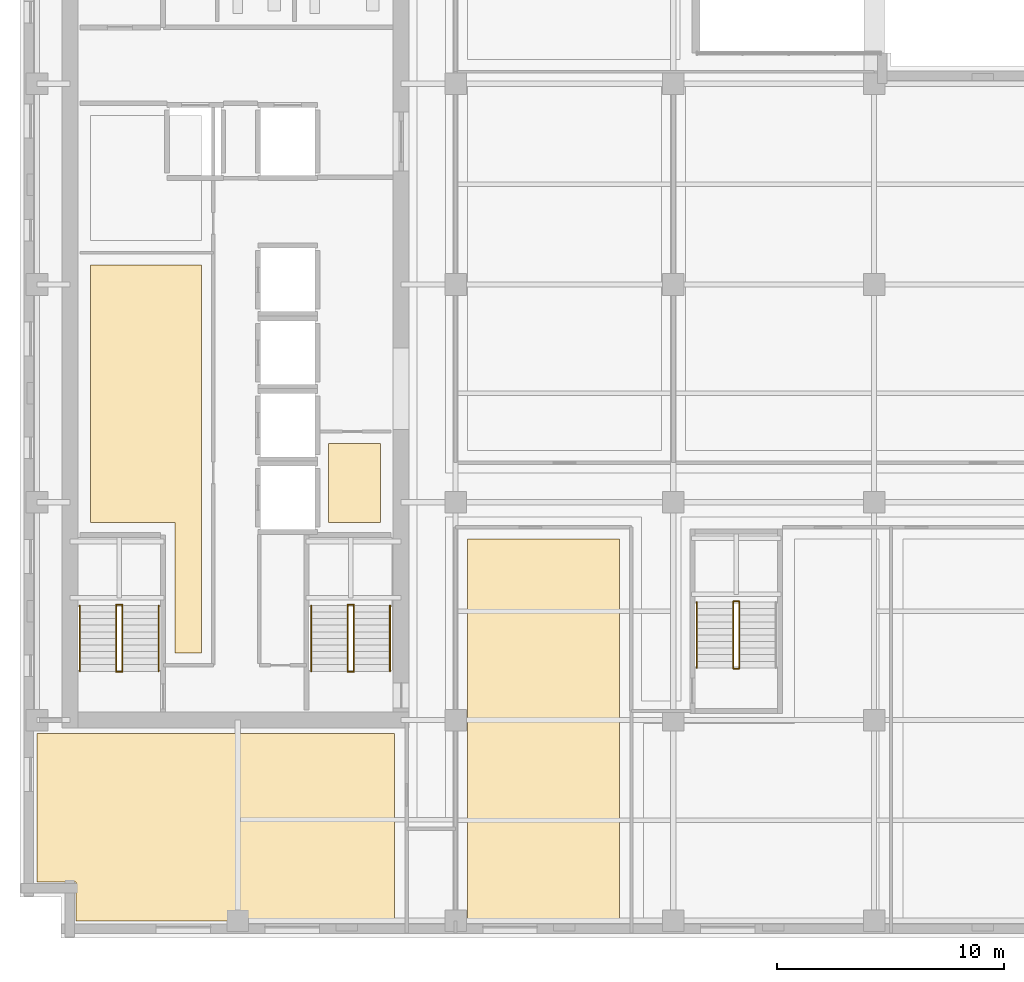
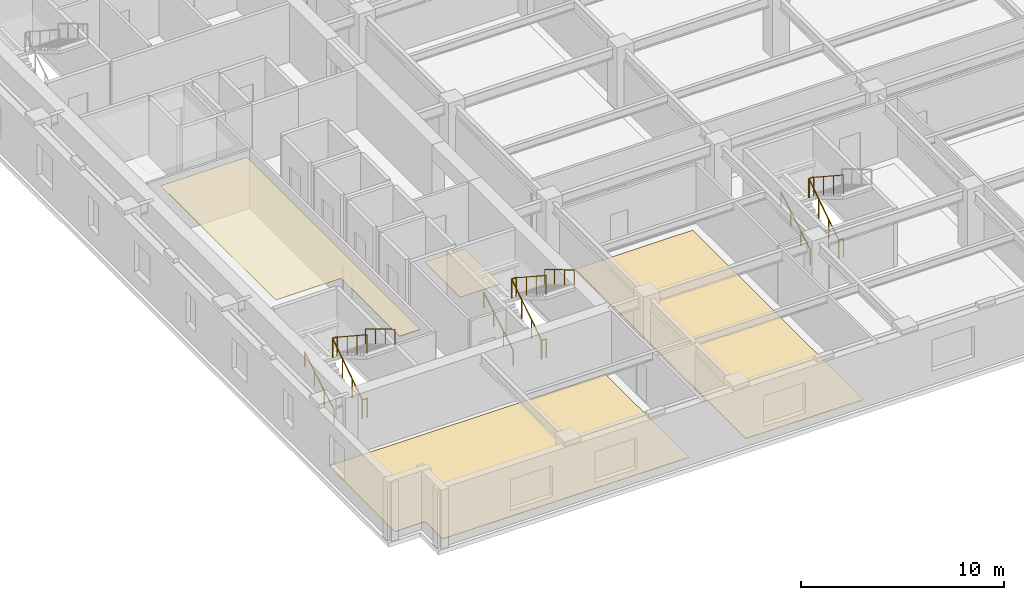
# One storey, part 9 of 13: 17 railings, 4 coverings.
"""IFC4 building model written with IfcOpenShell, lengths in metres."""

import ifcopenshell
import ifcopenshell.guid

model = None  # the IFC model being written
_history = None  # IfcOwnerHistory: only IFC2X3 demands one
_inside = {}  # id of a spatial element -> (the spatial element, [elements in it])
_under = {}  # id of a project, library or spatial element -> (it, [spatial elements below it])
_declared = {}  # id of a project -> (the project, [libraries it declares])
_typed = {}  # id of a type object -> (the type object, [elements of that type])
_made_of = {}  # id of a material, layer set ... -> (it, [elements and type objects made of it])


def new_model(schema):
    """Start an empty IFC model of exactly this schema.

    Asked for "IFC4X3", IfcOpenShell would pick the latest addendum, in which some entities
    have other attributes; the version numbers below select the first issue.
    IFC2X3 requires an IfcOwnerHistory on every rooted entity: one is made here for all.
    """
    global model, _history
    if schema == "IFC4X3":
        model = ifcopenshell.file(schema_version=(4, 3, 0, 0))
    else:
        model = ifcopenshell.file(schema=schema)
    _inside.clear()
    _under.clear()
    _declared.clear()
    _typed.clear()
    _made_of.clear()
    _history = None
    if model.schema == "IFC2X3":
        org = make("IfcOrganization", Name="unknown")
        user = make(
            "IfcPersonAndOrganization",
            ThePerson=make("IfcPerson", FamilyName="unknown"),
            TheOrganization=org,
        )
        app = make(
            "IfcApplication",
            ApplicationDeveloper=org,
            Version="unknown",
            ApplicationFullName="unknown",
            ApplicationIdentifier="unknown",
        )
        _history = make(
            "IfcOwnerHistory",
            OwningUser=user,
            OwningApplication=app,
            ChangeAction="ADDED",
            CreationDate=0,
        )
    return model


def make(cls, **values):
    """One entity of the class cls with the attributes given. An attribute that is None is left unset."""
    return model.create_entity(
        cls, **{name: value for name, value in values.items() if value is not None}
    )


def rooted(cls, **values):
    """An entity with a GlobalId (a new one), such as an element, a storey or a relation."""
    return make(cls, GlobalId=ifcopenshell.guid.new(), OwnerHistory=_history, **values)


def si_unit(unit_type, name, prefix=None):
    """IfcSIUnit, for example si_unit("LENGTHUNIT", "METRE", prefix="MILLI")."""
    return make("IfcSIUnit", UnitType=unit_type, Prefix=prefix, Name=name)


def assignment(units):
    """IfcUnitAssignment: the units of a project."""
    return None if units is None else make("IfcUnitAssignment", Units=units)


def point(xyz):
    """IfcCartesianPoint."""
    return None if xyz is None else make("IfcCartesianPoint", Coordinates=xyz)


def direction(xyz):
    """IfcDirection."""
    return None if xyz is None else make("IfcDirection", DirectionRatios=xyz)


def frame(location, z_axis=None, x_axis=None):
    """IfcAxis2Placement3D, a coordinate frame: its origin and axes. An axis left out is left unset."""
    return make(
        "IfcAxis2Placement3D",
        Location=point(location),
        Axis=direction(z_axis),
        RefDirection=direction(x_axis),
    )


def frame_2d(location, x_axis=None):
    """IfcAxis2Placement2D, a coordinate frame in the plane: its origin and x axis."""
    return make(
        "IfcAxis2Placement2D", Location=point(location), RefDirection=direction(x_axis)
    )


def origin():
    """The frame at (0, 0, 0) with its axes left unset."""
    return frame((0.0, 0.0, 0.0))


def origin_2d():
    """The frame at (0, 0) in the plane with its x axis left unset."""
    return frame_2d((0.0, 0.0))


def place(relative_to, where):
    """IfcLocalPlacement: puts the frame where relative to a parent placement (None: the world)."""
    return make(
        "IfcLocalPlacement", PlacementRelTo=relative_to, RelativePlacement=where
    )


def context(
    kind, dimensions, precision=None, world=None, true_north=None, identifier=None
):
    """IfcGeometricRepresentationContext, for example the 3D "Model" context."""
    return make(
        "IfcGeometricRepresentationContext",
        ContextIdentifier=identifier,
        ContextType=kind,
        CoordinateSpaceDimension=dimensions,
        Precision=precision,
        WorldCoordinateSystem=world,
        TrueNorth=true_north,
    )


def subcontext(parent, identifier, kind, view, scale=None):
    """IfcGeometricRepresentationSubContext, for example "Body" below "Model"."""
    return make(
        "IfcGeometricRepresentationSubContext",
        ContextIdentifier=identifier,
        ContextType=kind,
        ParentContext=parent,
        TargetScale=scale,
        TargetView=view,
    )


def project(units=None, contexts=None):
    """IfcProject with its units and contexts."""
    return rooted(
        "IfcProject",
        Name="project",
        RepresentationContexts=contexts,
        UnitsInContext=assignment(units),
    )


def spatial(cls, under=None, at=None, **own):
    """A site, building, storey or space (cls), placed at a placement, below another one or the project."""
    s = rooted(cls, ObjectPlacement=at, **own)
    if under is not None:
        _under.setdefault(under.id(), (under, []))[1].append(s)
    return s


def polyline(points):
    """IfcPolyline through the points."""
    return make("IfcPolyline", Points=[point(p) for p in points])


def profile(cls, at=None, kind="AREA", **sizes):
    """A parametric profile (cls). Its sizes go by their IFC names, for example OverallWidth=200.0."""
    return make(cls, ProfileType=kind, Position=at, **sizes)


def circle(**sizes):
    """IfcCircleProfileDef."""
    return profile("IfcCircleProfileDef", **sizes)


def outline(outer, holes=None, kind="AREA"):
    """IfcArbitraryClosedProfileDef: a profile drawn as a closed curve; with holes, ...WithVoids."""
    if holes is None:
        return make("IfcArbitraryClosedProfileDef", ProfileType=kind, OuterCurve=outer)
    return make(
        "IfcArbitraryProfileDefWithVoids",
        ProfileType=kind,
        OuterCurve=outer,
        InnerCurves=holes,
    )


def extrude(swept, where, along, depth):
    """IfcExtrudedAreaSolid: the profile swept, set in the frame where, extruded along a direction by depth."""
    return make(
        "IfcExtrudedAreaSolid",
        SweptArea=swept,
        Position=where,
        ExtrudedDirection=direction(along),
        Depth=depth,
    )


def shape(context_of_items, identifier, shape_type, items):
    """IfcShapeRepresentation: the items that make up one representation, for example the "Body"."""
    return make(
        "IfcShapeRepresentation",
        ContextOfItems=context_of_items,
        RepresentationIdentifier=identifier,
        RepresentationType=shape_type,
        Items=items,
    )


def material(Name=None, Category=None):
    """IfcMaterial."""
    return make("IfcMaterial", Name=Name, Category=Category)


def layer(
    of_material, thickness, ventilated=None, Name=None, Category=None, Priority=None
):
    """IfcMaterialLayer: one layer of a wall or slab, of a material (None: an air gap)."""
    return make(
        "IfcMaterialLayer",
        Material=of_material,
        LayerThickness=thickness,
        IsVentilated=ventilated,
        Name=Name,
        Category=Category,
        Priority=Priority,
    )


def layer_set(layers, Name=None):
    """IfcMaterialLayerSet."""
    return make("IfcMaterialLayerSet", MaterialLayers=layers, LayerSetName=Name)


def made_of(thing, what):
    """Note that an element or type object is made of a material, layer set ...; save() writes the relation."""
    if what is not None:
        _made_of.setdefault(what.id(), (what, []))[1].append(thing)
    return thing


def type_object(cls, material=None, **own):
    """A type object (cls), such as IfcWallType, which elements share."""
    return made_of(rooted(cls, **own), material)


def element(
    cls,
    number,
    at=None,
    inside=None,
    cuts=None,
    type_object=None,
    material=None,
    context=None,
    identifier="Body",
    shape_type=None,
    held_by="IfcProductDefinitionShape",
    body=None,
    shapes=None,
    **own,
):
    """One element of the class cls, such as IfcWall. Its Tag is "e" and its number.

    at: its placement. inside: the storey or other place that contains it. cuts: it is an
    opening in that element (IfcRelVoidsElement). A single representation is given by context,
    identifier, shape_type and body (its items); several are given by shapes. held_by: the class
    of the entity that holds the representations. save() writes the other relations.
    """
    e = rooted(cls, Tag="e%d" % number, ObjectPlacement=at, **own)
    if body is not None:
        shapes = [shape(context, identifier, shape_type, body)]
    if shapes is not None:
        e.Representation = make(held_by, Representations=shapes)
    if inside is not None:
        _inside.setdefault(inside.id(), (inside, []))[1].append(e)
    if cuts is not None:
        rooted(
            "IfcRelVoidsElement", RelatingBuildingElement=cuts, RelatedOpeningElement=e
        )
    if type_object is not None:
        _typed.setdefault(type_object.id(), (type_object, []))[1].append(e)
    return made_of(e, material)


def aggregate(whole, parts):
    """IfcRelAggregates: a whole, such as a stair, and the parts it consists of."""
    return rooted("IfcRelAggregates", RelatingObject=whole, RelatedObjects=parts)


def save(model, path):
    """Write the relations noted so far, then the file.

    IfcRelAggregates (storeys below a building ...), IfcRelContainedInSpatialStructure (elements
    in a storey), IfcRelDefinesByType, IfcRelAssociatesMaterial and IfcRelDeclares: one each for
    every whole, place, type object, material and project.
    """
    for whole, parts in _under.values():
        aggregate(whole, parts)
    for where, things in _inside.values():
        rooted(
            "IfcRelContainedInSpatialStructure",
            RelatedElements=things,
            RelatingStructure=where,
        )
    for kind, things in _typed.values():
        rooted("IfcRelDefinesByType", RelatedObjects=things, RelatingType=kind)
    for what, things in _made_of.values():
        rooted("IfcRelAssociatesMaterial", RelatedObjects=things, RelatingMaterial=what)
    for by, libraries in _declared.values():
        rooted("IfcRelDeclares", RelatingContext=by, RelatedDefinitions=libraries)
    model.write(path)


model = new_model("IFC4")

# Units and contexts
model_context = context("Model", 3, precision=1e-05, world=origin(), true_north=direction((0.0, 1.0)))
body_context = subcontext(model_context, "Body", "Model", "MODEL_VIEW")
ifc_project = project(units=[si_unit("LENGTHUNIT", "METRE"), si_unit("AREAUNIT", "SQUARE_METRE"), si_unit("VOLUMEUNIT", "CUBIC_METRE"), si_unit("PLANEANGLEUNIT", "RADIAN"), si_unit("MASSUNIT", "GRAM", prefix="KILO")], contexts=[model_context])

# Site, building, storey
site_placement = place(None, origin())
site = spatial("IfcSite", under=ifc_project, at=site_placement, CompositionType="ELEMENT")
building_placement = place(site_placement, origin())
building = spatial("IfcBuilding", under=site, at=building_placement, Name="Norrvale University Quadrangle", CompositionType="ELEMENT")
storey_placement = place(building_placement, frame((0.0, 0.0, 171.199951171875)))
storey = spatial("IfcBuildingStorey", under=building, at=storey_placement, Name="L43", CompositionType="ELEMENT", Elevation=171.199951171875)

# Coverings
ifc_material_1 = material(Name="Perforated Acoustic Mineral Ceiling")
ifc_layer_1 = layer(ifc_material_1, 0.02490234375, Name="Perforated Acoustic Mineral Ceiling")
ifc_layer_set_1 = layer_set([ifc_layer_1], Name="Perforated Acoustic Mineral Ceiling")
covering_type_1 = type_object("IfcCoveringType", Name="Covering Acoustic Ceiling 25", PredefinedType="CEILING", material=ifc_layer_set_1)
covering_1_placement = place(storey_placement, frame((0.0, 0.0, 3.51513671875)))
element("IfcCovering", 1, at=covering_1_placement, inside=storey, type_object=covering_type_1, Name="Acoustic Ceiling RM-L43-REC1", PredefinedType="CEILING", context=body_context, shape_type="SweptSolid", body=[
    extrude(outline(polyline([(3.10009765625, 18.300048828125), (3.10009765625, 29.64990234375), (8.0, 29.64990234375), (8.0, 12.550048828125), (6.830078125, 12.550048828125), (6.830078125, 18.300048828125), (3.10009765625, 18.300048828125)])), origin(), (0.0, 0.0, 1.0), 0.02490234375),
])
ifc_material_2 = material(Name="Polished Terrazzo Flooring")
ifc_layer_2 = layer(ifc_material_2, 0.02490234375, Name="Polished Terrazzo Flooring")
ifc_layer_set_2 = layer_set([ifc_layer_2], Name="Polished Terrazzo Flooring")
covering_type_2 = type_object("IfcCoveringType", Name="Covering Terrazzo Floor 30", PredefinedType="FLOORING", material=ifc_layer_set_2)
covering_2_placement = place(storey_placement, origin())
element("IfcCovering", 2, at=covering_2_placement, inside=storey, type_object=covering_type_2, Name="Terrazzo Flooring RM-L43-JAN", PredefinedType="FLOORING", context=body_context, shape_type="SweptSolid", body=[
    extrude(outline(polyline([(13.60009765625, 18.300048828125), (13.60009765625, 21.800048828125), (15.89990234375, 21.800048828125), (15.89990234375, 18.300048828125), (13.60009765625, 18.300048828125)])), origin(), (0.0, 0.0, 1.0), 0.025146484375),
])
covering_3_placement = place(storey_placement, origin())
element("IfcCovering", 3, at=covering_3_placement, inside=storey, type_object=covering_type_2, Name="Terrazzo Flooring RM-L43-SW1", PredefinedType="FLOORING", context=body_context, shape_type="SweptSolid", body=[
    extrude(outline(polyline([(16.5, 9.0), (16.5, 0.75), (2.469970703125, 0.75), (2.469970703125, 2.469970703125), (0.75, 2.469970703125), (0.75, 9.0), (16.5, 9.0)])), origin(), (0.0, 0.0, 1.0), 0.025146484375),
])
covering_4_placement = place(storey_placement, origin())
element("IfcCovering", 4, at=covering_4_placement, inside=storey, type_object=covering_type_2, Name="Terrazzo Flooring RM-L43-SE1", PredefinedType="FLOORING", context=body_context, shape_type="SweptSolid", body=[
    extrude(outline(polyline([(26.419921875, 17.570068359375), (26.419921875, 0.75), (19.72998046875, 0.75), (19.72998046875, 17.570068359375), (26.419921875, 17.570068359375)])), origin(), (0.0, 0.0, 1.0), 0.025146484375),
])

# Railings
ifc_material_3 = material(Name="Steel 350W Painted Balustrade", Category="steel")
railing_type_1 = type_object("IfcRailingType", Name="Railing Stair Guard 1100", PredefinedType="GUARDRAIL", material=ifc_material_3)
for number, where, name in (
    (5, (4.239990234375, 11.719970703125, 0.0), "Stair Floor Well Guard ST-01 L43"),
    (6, (4.239990234375, 14.679931640625, 1.900146484375), "Stair Mid-Landing Slot Guard ST-01 L43"),
):
    element("IfcRailing", number, at=place(storey_placement, frame(where)), inside=storey, type_object=railing_type_1, Name=name, PredefinedType="GUARDRAIL", context=body_context, shape_type="SweptSolid", body=[
        extrude(circle(Radius=0.02392578125, at=origin_2d()), frame((0.0, 0.0, 1.1259765625), z_axis=(1.0, 0.0, 0.0), x_axis=(0.0, 1.0, 0.0)), (0.0, 0.0, 1.0), 0.27001953125),
        extrude(circle(Radius=0.02099609375, at=origin_2d()), origin(), (0.0, 0.0, 1.0), 1.101806640625),
        extrude(circle(Radius=0.02099609375, at=origin_2d()), frame((0.27001953125, 0.0, 0.0)), (0.0, 0.0, 1.0), 1.101806640625),
    ])
railing_1_placement = place(storey_placement, frame((4.239990234375, 11.75, 0.0)))
element("IfcRailing", 7, at=railing_1_placement, inside=storey, type_object=railing_type_1, Name="Stair Lower Flight Inner Guard ST-01 L43", PredefinedType="GUARDRAIL", context=body_context, shape_type="SweptSolid", body=[
    extrude(circle(Radius=0.02392578125, at=origin_2d()), frame((0.0, 0.0, 1.1259765625), z_axis=(0.0, 0.836433300813, 0.548068730445), x_axis=(-1.0, 0.0, 0.0)), (0.0, 0.0, 1.0), 3.467041015625),
    extrude(circle(Radius=0.02099609375, at=origin_2d()), origin(), (0.0, 0.0, 1.0), 1.101806640625),
    extrude(circle(Radius=0.02099609375, at=origin_2d()), frame((0.0, 0.966552734375, 0.63330078125)), (0.0, 0.0, 1.0), 1.101806640625),
    extrude(circle(Radius=0.02099609375, at=origin_2d()), frame((0.0, 1.933349609375, 1.266845703125)), (0.0, 0.0, 1.0), 1.101806640625),
    extrude(circle(Radius=0.02099609375, at=origin_2d()), frame((0.0, 2.89990234375, 1.900146484375)), (0.0, 0.0, 1.0), 1.101806640625),
])
railing_2_placement = place(storey_placement, frame((4.510009765625, 14.64990234375, 1.900146484375)))
element("IfcRailing", 8, at=railing_2_placement, inside=storey, type_object=railing_type_1, Name="Stair Upper Flight Inner Guard ST-01 L43", PredefinedType="GUARDRAIL", context=body_context, shape_type="SweptSolid", body=[
    extrude(circle(Radius=0.02392578125, at=origin_2d()), frame((0.0, 0.0, 1.1259765625), z_axis=(0.0, -0.836465582154, 0.548019461216), x_axis=(1.0, 0.0, 0.0)), (0.0, 0.0, 1.0), 3.466796875),
    extrude(circle(Radius=0.02099609375, at=origin_2d()), origin(), (0.0, 0.0, 1.0), 1.101806640625),
    extrude(circle(Radius=0.02099609375, at=origin_2d()), frame((0.0, -0.966552734375, 0.63330078125)), (0.0, 0.0, 1.0), 1.101806640625),
    extrude(circle(Radius=0.02099609375, at=origin_2d()), frame((0.0, -1.933349609375, 1.2666015625)), (0.0, 0.0, 1.0), 1.101806640625),
    extrude(circle(Radius=0.02099609375, at=origin_2d()), frame((0.0, -2.89990234375, 1.89990234375)), (0.0, 0.0, 1.0), 1.101806640625),
])
for number, where, name in (
    (9, (14.43994140625, 11.719970703125, 0.0), "Stair Floor Well Guard ST-03 L43"),
    (10, (14.43994140625, 14.679931640625, 1.900146484375), "Stair Mid-Landing Slot Guard ST-03 L43"),
):
    element("IfcRailing", number, at=place(storey_placement, frame(where)), inside=storey, type_object=railing_type_1, Name=name, PredefinedType="GUARDRAIL", context=body_context, shape_type="SweptSolid", body=[
        extrude(circle(Radius=0.02392578125, at=origin_2d()), frame((0.0, 0.0, 1.1259765625), z_axis=(1.0, 0.0, 0.0), x_axis=(0.0, 1.0, 0.0)), (0.0, 0.0, 1.0), 0.27001953125),
        extrude(circle(Radius=0.02099609375, at=origin_2d()), origin(), (0.0, 0.0, 1.0), 1.101806640625),
        extrude(circle(Radius=0.02099609375, at=origin_2d()), frame((0.27001953125, 0.0, 0.0)), (0.0, 0.0, 1.0), 1.101806640625),
    ])
railing_3_placement = place(storey_placement, frame((14.43994140625, 11.75, 0.0)))
element("IfcRailing", 11, at=railing_3_placement, inside=storey, type_object=railing_type_1, Name="Stair Lower Flight Inner Guard ST-03 L43", PredefinedType="GUARDRAIL", context=body_context, shape_type="SweptSolid", body=[
    extrude(circle(Radius=0.02392578125, at=origin_2d()), frame((0.0, 0.0, 1.1259765625), z_axis=(0.0, 0.836433300813, 0.548068730445), x_axis=(-1.0, 0.0, 0.0)), (0.0, 0.0, 1.0), 3.467041015625),
    extrude(circle(Radius=0.02099609375, at=origin_2d()), origin(), (0.0, 0.0, 1.0), 1.101806640625),
    extrude(circle(Radius=0.02099609375, at=origin_2d()), frame((0.0, 0.966552734375, 0.63330078125)), (0.0, 0.0, 1.0), 1.101806640625),
    extrude(circle(Radius=0.02099609375, at=origin_2d()), frame((0.0, 1.933349609375, 1.266845703125)), (0.0, 0.0, 1.0), 1.101806640625),
    extrude(circle(Radius=0.02099609375, at=origin_2d()), frame((0.0, 2.89990234375, 1.900146484375)), (0.0, 0.0, 1.0), 1.101806640625),
])
railing_4_placement = place(storey_placement, frame((14.7099609375, 14.64990234375, 1.900146484375)))
element("IfcRailing", 12, at=railing_4_placement, inside=storey, type_object=railing_type_1, Name="Stair Upper Flight Inner Guard ST-03 L43", PredefinedType="GUARDRAIL", context=body_context, shape_type="SweptSolid", body=[
    extrude(circle(Radius=0.02392578125, at=origin_2d()), frame((0.0, 0.0, 1.1259765625), z_axis=(0.0, -0.836465582154, 0.548019461216), x_axis=(1.0, 0.0, 0.0)), (0.0, 0.0, 1.0), 3.466796875),
    extrude(circle(Radius=0.02099609375, at=origin_2d()), origin(), (0.0, 0.0, 1.0), 1.101806640625),
    extrude(circle(Radius=0.02099609375, at=origin_2d()), frame((0.0, -0.966552734375, 0.63330078125)), (0.0, 0.0, 1.0), 1.101806640625),
    extrude(circle(Radius=0.02099609375, at=origin_2d()), frame((0.0, -1.933349609375, 1.2666015625)), (0.0, 0.0, 1.0), 1.101806640625),
    extrude(circle(Radius=0.02099609375, at=origin_2d()), frame((0.0, -2.89990234375, 1.89990234375)), (0.0, 0.0, 1.0), 1.101806640625),
])
for number, where, name in (
    (13, (31.43994140625, 11.8701171875, 0.0), "Stair Floor Well Guard ST-04 L43"),
    (14, (31.43994140625, 14.830078125, 1.900146484375), "Stair Mid-Landing Slot Guard ST-04 L43"),
):
    element("IfcRailing", number, at=place(storey_placement, frame(where)), inside=storey, type_object=railing_type_1, Name=name, PredefinedType="GUARDRAIL", context=body_context, shape_type="SweptSolid", body=[
        extrude(circle(Radius=0.02392578125, at=origin_2d()), frame((0.0, 0.0, 1.1259765625), z_axis=(1.0, 0.0, 0.0), x_axis=(0.0, 1.0, 0.0)), (0.0, 0.0, 1.0), 0.27001953125),
        extrude(circle(Radius=0.02099609375, at=origin_2d()), origin(), (0.0, 0.0, 1.0), 1.101806640625),
        extrude(circle(Radius=0.02099609375, at=origin_2d()), frame((0.27001953125, 0.0, 0.0)), (0.0, 0.0, 1.0), 1.101806640625),
    ])
railing_5_placement = place(storey_placement, frame((31.43994140625, 11.89990234375, 0.0)))
element("IfcRailing", 15, at=railing_5_placement, inside=storey, type_object=railing_type_1, Name="Stair Lower Flight Inner Guard ST-04 L43", PredefinedType="GUARDRAIL", context=body_context, shape_type="SweptSolid", body=[
    extrude(circle(Radius=0.02392578125, at=origin_2d()), frame((0.0, 0.0, 1.1259765625), z_axis=(0.0, 0.836454451266, 0.548036450392), x_axis=(-1.0, 0.0, 0.0)), (0.0, 0.0, 1.0), 3.46728515625),
    extrude(circle(Radius=0.02099609375, at=origin_2d()), origin(), (0.0, 0.0, 1.0), 1.101806640625),
    extrude(circle(Radius=0.02099609375, at=origin_2d()), frame((0.0, 0.966796875, 0.63330078125)), (0.0, 0.0, 1.0), 1.101806640625),
    extrude(circle(Radius=0.02099609375, at=origin_2d()), frame((0.0, 1.933349609375, 1.266845703125)), (0.0, 0.0, 1.0), 1.101806640625),
    extrude(circle(Radius=0.02099609375, at=origin_2d()), frame((0.0, 2.900146484375, 1.900146484375)), (0.0, 0.0, 1.0), 1.101806640625),
])
railing_6_placement = place(storey_placement, frame((31.7099609375, 14.800048828125, 1.900146484375)))
element("IfcRailing", 16, at=railing_6_placement, inside=storey, type_object=railing_type_1, Name="Stair Upper Flight Inner Guard ST-04 L43", PredefinedType="GUARDRAIL", context=body_context, shape_type="SweptSolid", body=[
    extrude(circle(Radius=0.02392578125, at=origin_2d()), frame((0.0, 0.0, 1.1259765625), z_axis=(0.0, -0.836486729621, 0.547987181573), x_axis=(1.0, 0.0, 0.0)), (0.0, 0.0, 1.0), 3.467041015625),
    extrude(circle(Radius=0.02099609375, at=origin_2d()), origin(), (0.0, 0.0, 1.0), 1.101806640625),
    extrude(circle(Radius=0.02099609375, at=origin_2d()), frame((0.0, -0.966796875, 0.63330078125)), (0.0, 0.0, 1.0), 1.101806640625),
    extrude(circle(Radius=0.02099609375, at=origin_2d()), frame((0.0, -1.933349609375, 1.2666015625)), (0.0, 0.0, 1.0), 1.101806640625),
    extrude(circle(Radius=0.02099609375, at=origin_2d()), frame((0.0, -2.900146484375, 1.89990234375)), (0.0, 0.0, 1.0), 1.101806640625),
])
ifc_material_4 = material(Name="Stainless Steel 316L Handrail", Category="steel")
railing_type_2 = type_object("IfcRailingType", Name="Railing Stair Handrail 920", PredefinedType="HANDRAIL", material=ifc_material_4)
railing_7_placement = place(storey_placement, frame((2.639892578125, 11.75, 0.1728515625)))
element("IfcRailing", 17, at=railing_7_placement, inside=storey, type_object=railing_type_2, Name="Stair Lower Flight Handrail ST-01 L43", PredefinedType="HANDRAIL", context=body_context, shape_type="SweptSolid", body=[
    extrude(circle(Radius=0.02392578125, at=origin_2d()), frame((0.0, 0.0, 0.89599609375), z_axis=(0.0, 0.859141464434, 0.511738159696), x_axis=(-1.0, 0.0, 0.0)), (0.0, 0.0, 1.0), 3.375244140625),
    extrude(circle(Radius=0.02099609375, at=origin_2d()), origin(), (0.0, 0.0, 1.0), 0.871826171875),
    extrude(circle(Radius=0.02099609375, at=origin_2d()), frame((0.0, 0.966552734375, 0.57568359375)), (0.0, 0.0, 1.0), 0.871826171875),
    extrude(circle(Radius=0.02099609375, at=origin_2d()), frame((0.0, 1.933349609375, 1.151611328125)), (0.0, 0.0, 1.0), 0.871826171875),
    extrude(circle(Radius=0.02099609375, at=origin_2d()), frame((0.0, 2.89990234375, 1.727294921875)), (0.0, 0.0, 1.0), 0.871826171875),
])
railing_8_placement = place(storey_placement, frame((6.110107421875, 14.64990234375, 2.07275390625)))
element("IfcRailing", 18, at=railing_8_placement, inside=storey, type_object=railing_type_2, Name="Stair Upper Flight Handrail ST-01 L43", PredefinedType="HANDRAIL", context=body_context, shape_type="SweptSolid", body=[
    extrude(circle(Radius=0.02392578125, at=origin_2d()), frame((0.0, 0.0, 0.89599609375), z_axis=(0.0, -0.859141464434, 0.511738159696), x_axis=(1.0, 0.0, 0.0)), (0.0, 0.0, 1.0), 3.375244140625),
    extrude(circle(Radius=0.02099609375, at=origin_2d()), origin(), (0.0, 0.0, 1.0), 0.871826171875),
    extrude(circle(Radius=0.02099609375, at=origin_2d()), frame((0.0, -0.966552734375, 0.57568359375)), (0.0, 0.0, 1.0), 0.871826171875),
    extrude(circle(Radius=0.02099609375, at=origin_2d()), frame((0.0, -1.933349609375, 1.151611328125)), (0.0, 0.0, 1.0), 0.871826171875),
    extrude(circle(Radius=0.02099609375, at=origin_2d()), frame((0.0, -2.89990234375, 1.727294921875)), (0.0, 0.0, 1.0), 0.871826171875),
])
railing_9_placement = place(storey_placement, frame((12.840087890625, 11.75, 0.1728515625)))
element("IfcRailing", 19, at=railing_9_placement, inside=storey, type_object=railing_type_2, Name="Stair Lower Flight Handrail ST-03 L43", PredefinedType="HANDRAIL", context=body_context, shape_type="SweptSolid", body=[
    extrude(circle(Radius=0.02392578125, at=origin_2d()), frame((0.0, 0.0, 0.89599609375), z_axis=(0.0, 0.859141464434, 0.511738159696), x_axis=(-1.0, 0.0, 0.0)), (0.0, 0.0, 1.0), 3.375244140625),
    extrude(circle(Radius=0.02099609375, at=origin_2d()), origin(), (0.0, 0.0, 1.0), 0.871826171875),
    extrude(circle(Radius=0.02099609375, at=origin_2d()), frame((0.0, 0.966552734375, 0.57568359375)), (0.0, 0.0, 1.0), 0.871826171875),
    extrude(circle(Radius=0.02099609375, at=origin_2d()), frame((0.0, 1.933349609375, 1.151611328125)), (0.0, 0.0, 1.0), 0.871826171875),
    extrude(circle(Radius=0.02099609375, at=origin_2d()), frame((0.0, 2.89990234375, 1.727294921875)), (0.0, 0.0, 1.0), 0.871826171875),
])
railing_10_placement = place(storey_placement, frame((16.31005859375, 14.64990234375, 2.07275390625)))
element("IfcRailing", 20, at=railing_10_placement, inside=storey, type_object=railing_type_2, Name="Stair Upper Flight Handrail ST-03 L43", PredefinedType="HANDRAIL", context=body_context, shape_type="SweptSolid", body=[
    extrude(circle(Radius=0.02392578125, at=origin_2d()), frame((0.0, 0.0, 0.89599609375), z_axis=(0.0, -0.859141464434, 0.511738159696), x_axis=(1.0, 0.0, 0.0)), (0.0, 0.0, 1.0), 3.375244140625),
    extrude(circle(Radius=0.02099609375, at=origin_2d()), origin(), (0.0, 0.0, 1.0), 0.871826171875),
    extrude(circle(Radius=0.02099609375, at=origin_2d()), frame((0.0, -0.966552734375, 0.57568359375)), (0.0, 0.0, 1.0), 0.871826171875),
    extrude(circle(Radius=0.02099609375, at=origin_2d()), frame((0.0, -1.933349609375, 1.151611328125)), (0.0, 0.0, 1.0), 0.871826171875),
    extrude(circle(Radius=0.02099609375, at=origin_2d()), frame((0.0, -2.89990234375, 1.727294921875)), (0.0, 0.0, 1.0), 0.871826171875),
])
railing_11_placement = place(storey_placement, frame((29.840087890625, 11.89990234375, 0.1728515625)))
element("IfcRailing", 21, at=railing_11_placement, inside=storey, type_object=railing_type_2, Name="Stair Lower Flight Handrail ST-04 L43", PredefinedType="HANDRAIL", context=body_context, shape_type="SweptSolid", body=[
    extrude(circle(Radius=0.02392578125, at=origin_2d()), frame((0.0, 0.0, 0.89599609375), z_axis=(0.0, 0.859160404282, 0.51170636083), x_axis=(-1.0, 0.0, 0.0)), (0.0, 0.0, 1.0), 3.37548828125),
    extrude(circle(Radius=0.02099609375, at=origin_2d()), origin(), (0.0, 0.0, 1.0), 0.871826171875),
    extrude(circle(Radius=0.02099609375, at=origin_2d()), frame((0.0, 0.966796875, 0.57568359375)), (0.0, 0.0, 1.0), 0.871826171875),
    extrude(circle(Radius=0.02099609375, at=origin_2d()), frame((0.0, 1.933349609375, 1.151611328125)), (0.0, 0.0, 1.0), 0.871826171875),
    extrude(circle(Radius=0.02099609375, at=origin_2d()), frame((0.0, 2.900146484375, 1.727294921875)), (0.0, 0.0, 1.0), 0.871826171875),
])

save(model, "model.ifc")
